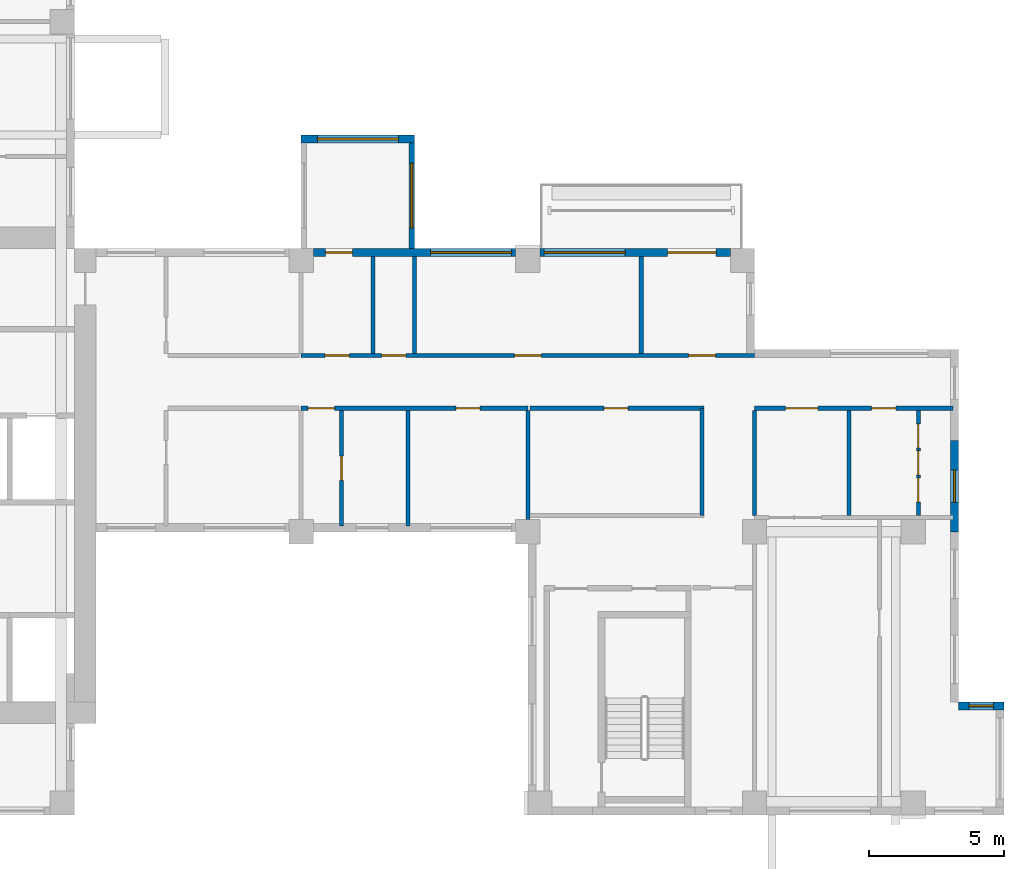
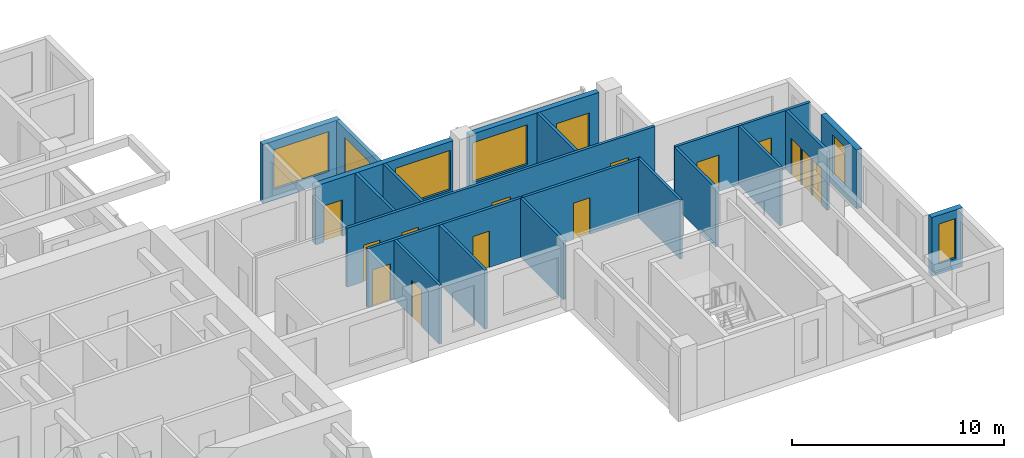
# One storey, part 5 of 11: 20 walls, 15 doors, 6 windows, 21 openings.
"""IFC4 building model written with IfcOpenShell, lengths in metres."""

from ifc_helpers import new_model, si_unit, direction, frame, frame_2d, origin, place, context, subcontext, project, spatial, rectangle, extrude, source, transform, mapped, material, layer, layer_set, type_object, element, fill, save


model = new_model("IFC4")

# Units and contexts
model_context = context("Model", 3, precision=1e-05, world=origin(), true_north=direction((0.0, 1.0)))
body_context = subcontext(model_context, "Body", "Model", "MODEL_VIEW")
ifc_project = project(units=[si_unit("LENGTHUNIT", "METRE"), si_unit("AREAUNIT", "SQUARE_METRE"), si_unit("VOLUMEUNIT", "CUBIC_METRE"), si_unit("PLANEANGLEUNIT", "RADIAN"), si_unit("MASSUNIT", "GRAM", prefix="KILO")], contexts=[model_context])

# Site, building, storey
site_placement = place(None, origin())
site = spatial("IfcSite", under=ifc_project, at=site_placement, CompositionType="ELEMENT")
building_placement = place(site_placement, origin())
building = spatial("IfcBuilding", under=site, at=building_placement, Name="Aurelian Terraces", CompositionType="ELEMENT")
storey_placement = place(building_placement, frame((0.0, 0.0, 208.2)))
storey = spatial("IfcBuildingStorey", under=building, at=storey_placement, Name="L46", CompositionType="ELEMENT", Elevation=208.2)

# Wall, openings, window, door
ifc_material_1 = material(Name="Terracotta rainscreen cladding", Category="masonry")
ifc_layer_1 = layer(ifc_material_1, 0.3)
ifc_layer_set_1 = layer_set([ifc_layer_1], Name="EW-300")
wall_type_1 = type_object("IfcWallType", Name="EW-300", PredefinedType="STANDARD", material=ifc_layer_set_1)
shared_shape_1 = source(origin(), body_context, "Body", "SweptSolid", [
    extrude(rectangle(XDim=7.5, YDim=0.3, at=frame_2d((3.75, 0.0))), origin(), (0.0, 0.0, 1.0), 3.4),
])
wall_1_placement = place(storey_placement, frame((37.35, 20.85, 0.0), z_axis=(0.0, 0.0, 1.0), x_axis=(-1.0, 0.0, 0.0)))
wall_1 = element("IfcWall", 1, at=wall_1_placement, inside=storey, type_object=wall_type_1, Name="External wall L46 F11.20", PredefinedType="STANDARD", context=body_context, shape_type="MappedRepresentation", body=[
    mapped(shared_shape_1, transform((0.0, 0.0, 0.0), scale=1.0)),
])
shared_shape_2 = source(origin(), body_context, "Body", "SweptSolid", [
    extrude(rectangle(XDim=3.0, YDim=2.3, at=frame_2d((1.5, 1.15))), frame((0.0, 0.16, 0.0), z_axis=(0.0, -1.0, 0.0), x_axis=(1.0, 0.0, 0.0)), (0.0, 0.0, 1.0), 0.32),
])
opening_1_placement = place(wall_1_placement, frame((0.15, 0.0, 0.6)))
opening_1 = element("IfcOpeningElement", 2, at=opening_1_placement, cuts=wall_1, Name="Opening W3023", PredefinedType="OPENING", context=body_context, shape_type="MappedRepresentation", body=[
    mapped(shared_shape_2, transform((0.0, 0.0, 0.0), scale=1.0)),
])
shared_shape_3 = source(origin(), body_context, "Body", "SweptSolid", [
    extrude(rectangle(XDim=1.0, YDim=2.1, at=frame_2d((0.5, 1.05))), frame((0.0, 0.16, 0.0), z_axis=(0.0, -1.0, 0.0), x_axis=(1.0, 0.0, 0.0)), (0.0, 0.0, 1.0), 0.32),
])
opening_2_placement = place(wall_1_placement, frame((6.05, 0.0, 0.0)))
opening_2 = element("IfcOpeningElement", 3, at=opening_2_placement, cuts=wall_1, Name="Opening 846001", PredefinedType="OPENING", context=body_context, shape_type="MappedRepresentation", body=[
    mapped(shared_shape_3, transform((0.0, 0.0, 0.0), scale=1.0)),
])
ifc_material_2 = material(Name="Clear glazing", Category="glass")
window_type_1 = type_object("IfcWindowType", Name="W-3000x2300", PartitioningType="SINGLE_PANEL", PredefinedType="WINDOW", material=ifc_material_2)
shared_shape_4 = source(origin(), body_context, "Body", "SweptSolid", [
    extrude(rectangle(XDim=3.0, YDim=2.3, at=frame_2d((1.5, 1.15))), frame((0.0, 0.03, 0.0), z_axis=(0.0, -1.0, 0.0), x_axis=(1.0, 0.0, 0.0)), (0.0, 0.0, 1.0), 0.06),
])
window_1_placement = place(opening_1_placement, origin())
window_1 = element("IfcWindow", 4, at=window_1_placement, inside=storey, type_object=window_type_1, Name="Window L46 L46-F11-20-0", OverallHeight=2.3, OverallWidth=3.0, PartitioningType="SINGLE_PANEL", PredefinedType="WINDOW", context=body_context, shape_type="MappedRepresentation", body=[
    mapped(shared_shape_4, transform((0.0, 0.0, 0.0), scale=1.0)),
])
fill(opening_1, window_1)
ifc_material_3 = material(Name="Timber door leaf", Category="wood")
door_type_1 = type_object("IfcDoorType", Name="Room door 1000x2100 left", OperationType="SINGLE_SWING_LEFT", PredefinedType="DOOR", material=ifc_material_3)
shared_shape_5 = source(origin(), body_context, "Body", "SweptSolid", [
    extrude(rectangle(XDim=1.0, YDim=2.1, at=frame_2d((0.5, 1.05))), frame((0.0, 0.025, 0.0), z_axis=(0.0, -1.0, 0.0), x_axis=(1.0, 0.0, 0.0)), (0.0, 0.0, 1.0), 0.05),
])
door_1_placement = place(opening_2_placement, origin())
door_1 = element("IfcDoor", 5, at=door_1_placement, inside=storey, type_object=door_type_1, Name="Door 846001", OperationType="SINGLE_SWING_LEFT", OverallHeight=2.1, OverallWidth=1.0, PredefinedType="DOOR", context=body_context, shape_type="MappedRepresentation", body=[
    mapped(shared_shape_5, transform((0.0, 0.0, 0.0), scale=1.0)),
])
fill(opening_2, door_1)

# Wall, opening, window
shared_shape_6 = source(origin(), body_context, "Body", "SweptSolid", [
    extrude(rectangle(XDim=1.68, YDim=0.3, at=frame_2d((0.84, 0.0))), origin(), (0.0, 0.0, 1.0), 3.4),
])
wall_2_placement = place(storey_placement, frame((55.44, 4.05, 0.0), z_axis=(0.0, 0.0, 1.0), x_axis=(-1.0, 0.0, 0.0)))
wall_2 = element("IfcWall", 6, at=wall_2_placement, inside=storey, type_object=wall_type_1, Name="External wall L46 F07.13", PredefinedType="STANDARD", context=body_context, shape_type="MappedRepresentation", body=[
    mapped(shared_shape_6, transform((0.0, 0.0, 0.0), scale=1.0)),
])
shared_shape_7 = source(origin(), body_context, "Body", "SweptSolid", [
    extrude(rectangle(XDim=0.9, YDim=2.3, at=frame_2d((0.45, 1.15))), frame((0.0, 0.16, 0.0), z_axis=(0.0, -1.0, 0.0), x_axis=(1.0, 0.0, 0.0)), (0.0, 0.0, 1.0), 0.32),
])
opening_3_placement = place(wall_2_placement, frame((0.39, 0.0, 0.6)))
opening_3 = element("IfcOpeningElement", 7, at=opening_3_placement, cuts=wall_2, Name="Opening W0923", PredefinedType="OPENING", context=body_context, shape_type="MappedRepresentation", body=[
    mapped(shared_shape_7, transform((0.0, 0.0, 0.0), scale=1.0)),
])
window_type_2 = type_object("IfcWindowType", Name="W-900x2300", PartitioningType="SINGLE_PANEL", PredefinedType="WINDOW", material=ifc_material_2)
shared_shape_8 = source(origin(), body_context, "Body", "SweptSolid", [
    extrude(rectangle(XDim=0.9, YDim=2.3, at=frame_2d((0.45, 1.15))), frame((0.0, 0.03, 0.0), z_axis=(0.0, -1.0, 0.0), x_axis=(1.0, 0.0, 0.0)), (0.0, 0.0, 1.0), 0.06),
])
window_2_placement = place(opening_3_placement, origin())
window_2 = element("IfcWindow", 8, at=window_2_placement, inside=storey, type_object=window_type_2, Name="Window L46 L46-F07-13-P0", OverallHeight=2.3, OverallWidth=0.9, PartitioningType="SINGLE_PANEL", PredefinedType="WINDOW", context=body_context, shape_type="MappedRepresentation", body=[
    mapped(shared_shape_8, transform((0.0, 0.0, 0.0), scale=1.0)),
])
fill(opening_3, window_2)

ifc_material_4 = material(Name="Concrete fc' 40 MPa", Category="concrete")
ifc_layer_2 = layer(ifc_material_4, 0.2)
ifc_layer_set_2 = layer_set([ifc_layer_2], Name="BOX BEARING WALL 200")
wall_type_2 = type_object("IfcWallType", Name="BOX BEARING WALL 200", PredefinedType="SOLIDWALL", material=ifc_layer_set_2)
shared_shape_9 = source(origin(), body_context, "Body", "SweptSolid", [
    extrude(rectangle(XDim=3.9, YDim=0.2, at=frame_2d((1.95, 0.0))), origin(), (0.0, 0.0, 1.0), 3.4),
])
wall_3_placement = place(storey_placement, frame((33.5, 21.0, 0.0), z_axis=(0.0, 0.0, 1.0), x_axis=(0.0, 1.0, 0.0)))
wall_3 = element("IfcWall", 9, at=wall_3_placement, inside=storey, type_object=wall_type_2, Name="Box return L46 J63.1", PredefinedType="SOLIDWALL", context=body_context, shape_type="MappedRepresentation", body=[
    mapped(shared_shape_9, transform((0.0, 0.0, 0.0), scale=1.0)),
])
shared_shape_10 = source(origin(), body_context, "Body", "SweptSolid", [
    extrude(rectangle(XDim=2.4, YDim=2.3, at=frame_2d((1.2, 1.15))), frame((0.0, 0.11, 0.0), z_axis=(0.0, -1.0, 0.0), x_axis=(1.0, 0.0, 0.0)), (0.0, 0.0, 1.0), 0.22),
])
opening_4_placement = place(wall_3_placement, frame((0.75, 0.0, 0.6)))
opening_4 = element("IfcOpeningElement", 10, at=opening_4_placement, cuts=wall_3, Name="Opening W2423", PredefinedType="OPENING", context=body_context, shape_type="MappedRepresentation", body=[
    mapped(shared_shape_10, transform((0.0, 0.0, 0.0), scale=1.0)),
])
window_type_3 = type_object("IfcWindowType", Name="W-2400x2300", PartitioningType="SINGLE_PANEL", PredefinedType="WINDOW", material=ifc_material_2)
shared_shape_11 = source(origin(), body_context, "Body", "SweptSolid", [
    extrude(rectangle(XDim=2.4, YDim=2.3, at=frame_2d((1.2, 1.15))), frame((0.0, 0.03, 0.0), z_axis=(0.0, -1.0, 0.0), x_axis=(1.0, 0.0, 0.0)), (0.0, 0.0, 1.0), 0.06),
])
window_3_placement = place(opening_4_placement, origin())
window_3 = element("IfcWindow", 11, at=window_3_placement, inside=storey, type_object=window_type_3, Name="Window L46 J63-S1", OverallHeight=2.3, OverallWidth=2.4, PartitioningType="SINGLE_PANEL", PredefinedType="WINDOW", context=body_context, shape_type="MappedRepresentation", body=[
    mapped(shared_shape_11, transform((0.0, 0.0, 0.0), scale=1.0)),
])
fill(opening_4, window_3)

ifc_layer_3 = layer(ifc_material_4, 0.3)
ifc_layer_set_3 = layer_set([ifc_layer_3], Name="BOX BEARING WALL 300")
wall_type_3 = type_object("IfcWallType", Name="BOX BEARING WALL 300", PredefinedType="SOLIDWALL", material=ifc_layer_set_3)
shared_shape_12 = source(origin(), body_context, "Body", "SweptSolid", [
    extrude(rectangle(XDim=4.2, YDim=0.3, at=frame_2d((2.1, 0.0))), origin(), (0.0, 0.0, 1.0), 3.4),
])
wall_4_placement = place(storey_placement, frame((33.6, 25.05, 0.0), z_axis=(0.0, 0.0, 1.0), x_axis=(-1.0, 0.0, 0.0)))
wall_4 = element("IfcWall", 12, at=wall_4_placement, inside=storey, type_object=wall_type_3, Name="Box wall L46 J63", PredefinedType="SOLIDWALL", context=body_context, shape_type="MappedRepresentation", body=[
    mapped(shared_shape_12, transform((0.0, 0.0, 0.0), scale=1.0)),
])
opening_5_placement = place(wall_4_placement, frame((0.6, 0.0, 0.6)))
opening_5 = element("IfcOpeningElement", 13, at=opening_5_placement, cuts=wall_4, Name="Opening W3023", PredefinedType="OPENING", context=body_context, shape_type="MappedRepresentation", body=[
    mapped(shared_shape_2, transform((0.0, 0.0, 0.0), scale=1.0)),
])
window_4_placement = place(opening_5_placement, origin())
window_4 = element("IfcWindow", 14, at=window_4_placement, inside=storey, type_object=window_type_1, Name="Window L46 J63-F1", OverallHeight=2.3, OverallWidth=3.0, PartitioningType="SINGLE_PANEL", PredefinedType="WINDOW", context=body_context, shape_type="MappedRepresentation", body=[
    mapped(shared_shape_4, transform((0.0, 0.0, 0.0), scale=1.0)),
])
fill(opening_5, window_4)

shared_shape_13 = source(origin(), body_context, "Body", "SweptSolid", [
    extrude(rectangle(XDim=3.375, YDim=0.3, at=frame_2d((1.6875, 0.0))), origin(), (0.0, 0.0, 1.0), 3.4),
])
wall_5_placement = place(storey_placement, frame((53.61, 10.5, 0.0), z_axis=(0.0, 0.0, 1.0), x_axis=(0.0, 1.0, 0.0)))
wall_5 = element("IfcWall", 15, at=wall_5_placement, inside=storey, type_object=wall_type_1, Name="External wall L46 F08.15", PredefinedType="STANDARD", context=body_context, shape_type="MappedRepresentation", body=[
    mapped(shared_shape_13, transform((0.0, 0.0, 0.0), scale=1.0)),
])
shared_shape_14 = source(origin(), body_context, "Body", "SweptSolid", [
    extrude(rectangle(XDim=1.2, YDim=2.3, at=frame_2d((0.6, 1.15))), frame((0.0, 0.16, 0.0), z_axis=(0.0, -1.0, 0.0), x_axis=(1.0, 0.0, 0.0)), (0.0, 0.0, 1.0), 0.32),
])
opening_6_placement = place(wall_5_placement, frame((1.0875, 0.0, 0.6)))
opening_6 = element("IfcOpeningElement", 16, at=opening_6_placement, cuts=wall_5, Name="Opening W1223", PredefinedType="OPENING", context=body_context, shape_type="MappedRepresentation", body=[
    mapped(shared_shape_14, transform((0.0, 0.0, 0.0), scale=1.0)),
])
window_type_4 = type_object("IfcWindowType", Name="W-1200x2300", PartitioningType="SINGLE_PANEL", PredefinedType="WINDOW", material=ifc_material_2)
shared_shape_15 = source(origin(), body_context, "Body", "SweptSolid", [
    extrude(rectangle(XDim=1.2, YDim=2.3, at=frame_2d((0.6, 1.15))), frame((0.0, 0.03, 0.0), z_axis=(0.0, -1.0, 0.0), x_axis=(1.0, 0.0, 0.0)), (0.0, 0.0, 1.0), 0.06),
])
window_5_placement = place(opening_6_placement, origin())
window_5 = element("IfcWindow", 17, at=window_5_placement, inside=storey, type_object=window_type_4, Name="Window L46 L46-F08-15-0", OverallHeight=2.3, OverallWidth=1.2, PartitioningType="SINGLE_PANEL", PredefinedType="WINDOW", context=body_context, shape_type="MappedRepresentation", body=[
    mapped(shared_shape_15, transform((0.0, 0.0, 0.0), scale=1.0)),
])
fill(opening_6, window_5)

# Wall, openings, door, window
shared_shape_16 = source(origin(), body_context, "Body", "SweptSolid", [
    extrude(rectangle(XDim=7.05, YDim=0.3, at=frame_2d((3.525, 0.0))), origin(), (0.0, 0.0, 1.0), 3.4),
])
wall_6_placement = place(storey_placement, frame((45.3, 20.85, 0.0), z_axis=(0.0, 0.0, 1.0), x_axis=(-1.0, 0.0, 0.0)))
wall_6 = element("IfcWall", 18, at=wall_6_placement, inside=storey, type_object=wall_type_1, Name="External wall L46 F11.19", PredefinedType="STANDARD", context=body_context, shape_type="MappedRepresentation", body=[
    mapped(shared_shape_16, transform((0.0, 0.0, 0.0), scale=1.0)),
])
shared_shape_17 = source(origin(), body_context, "Body", "SweptSolid", [
    extrude(rectangle(XDim=1.8, YDim=2.4, at=frame_2d((0.9, 1.2))), frame((0.0, 0.16, 0.0), z_axis=(0.0, -1.0, 0.0), x_axis=(1.0, 0.0, 0.0)), (0.0, 0.0, 1.0), 0.32),
])
opening_7_placement = place(wall_6_placement, frame((0.525, 0.0, 0.0)))
opening_7 = element("IfcOpeningElement", 19, at=opening_7_placement, cuts=wall_6, Name="Opening 84602", PredefinedType="OPENING", context=body_context, shape_type="MappedRepresentation", body=[
    mapped(shared_shape_17, transform((0.0, 0.0, 0.0), scale=1.0)),
])
opening_8_placement = place(wall_6_placement, frame((3.9, 0.0, 0.6)))
opening_8 = element("IfcOpeningElement", 20, at=opening_8_placement, cuts=wall_6, Name="Opening W3023", PredefinedType="OPENING", context=body_context, shape_type="MappedRepresentation", body=[
    mapped(shared_shape_2, transform((0.0, 0.0, 0.0), scale=1.0)),
])
door_type_2 = type_object("IfcDoorType", Name="BD-1800x2400", OperationType="SLIDING_TO_LEFT", PredefinedType="DOOR", material=ifc_material_2)
shared_shape_18 = source(origin(), body_context, "Body", "SweptSolid", [
    extrude(rectangle(XDim=1.8, YDim=2.4, at=frame_2d((0.9, 1.2))), frame((0.0, 0.025, 0.0), z_axis=(0.0, -1.0, 0.0), x_axis=(1.0, 0.0, 0.0)), (0.0, 0.0, 1.0), 0.05),
])
door_2_placement = place(opening_7_placement, origin())
door_2 = element("IfcDoor", 21, at=door_2_placement, inside=storey, type_object=door_type_2, Name="Balcony door L46 F11.19", OperationType="SLIDING_TO_LEFT", OverallHeight=2.4, OverallWidth=1.8, PredefinedType="DOOR", context=body_context, shape_type="MappedRepresentation", body=[
    mapped(shared_shape_18, transform((0.0, 0.0, 0.0), scale=1.0)),
])
fill(opening_7, door_2)
window_6_placement = place(opening_8_placement, origin())
window_6 = element("IfcWindow", 22, at=window_6_placement, inside=storey, type_object=window_type_1, Name="Window L46 L46-F11-19-1", OverallHeight=2.3, OverallWidth=3.0, PartitioningType="SINGLE_PANEL", PredefinedType="WINDOW", context=body_context, shape_type="MappedRepresentation", body=[
    mapped(shared_shape_4, transform((0.0, 0.0, 0.0), scale=1.0)),
])
fill(opening_8, window_6)

# Wall, opening, door
ifc_material_5 = material(Name="Gypsum board on steel studs", Category="steel")
ifc_layer_4 = layer(ifc_material_5, 0.15)
ifc_layer_set_4 = layer_set([ifc_layer_4], Name="Fire partition 150")
wall_type_4 = type_object("IfcWallType", Name="Fire partition 150", PredefinedType="PARTITIONING", material=ifc_layer_set_4)
shared_shape_19 = source(origin(), body_context, "Body", "SweptSolid", [
    extrude(rectangle(XDim=6.45, YDim=0.15, at=frame_2d((3.225, 0.0))), origin(), (0.0, 0.0, 1.0), 3.4),
])
wall_7_placement = place(storey_placement, frame((44.325, 15.075, 0.0), z_axis=(0.0, 0.0, 1.0), x_axis=(-1.0, 0.0, 0.0)))
wall_7 = element("IfcWall", 23, at=wall_7_placement, inside=storey, type_object=wall_type_4, Name="Corridor wall", PredefinedType="PARTITIONING", context=body_context, shape_type="MappedRepresentation", body=[
    mapped(shared_shape_19, transform((0.0, 0.0, 0.0), scale=1.0)),
])
shared_shape_20 = source(origin(), body_context, "Body", "SweptSolid", [
    extrude(rectangle(XDim=0.9, YDim=2.1, at=frame_2d((0.45, 1.05))), frame((0.0, 0.085, 0.0), z_axis=(0.0, -1.0, 0.0), x_axis=(1.0, 0.0, 0.0)), (0.0, 0.0, 1.0), 0.17),
])
opening_9_placement = place(wall_7_placement, frame((2.8125, 0.0, 0.0)))
opening_9 = element("IfcOpeningElement", 24, at=opening_9_placement, cuts=wall_7, Name="Opening 746003", PredefinedType="OPENING", context=body_context, shape_type="MappedRepresentation", body=[
    mapped(shared_shape_20, transform((0.0, 0.0, 0.0), scale=1.0)),
])
door_type_3 = type_object("IfcDoorType", Name="Room door 900x2100 right", OperationType="SINGLE_SWING_RIGHT", PredefinedType="DOOR", material=ifc_material_3)
shared_shape_21 = source(origin(), body_context, "Body", "SweptSolid", [
    extrude(rectangle(XDim=0.9, YDim=2.1, at=frame_2d((0.45, 1.05))), frame((0.0, 0.025, 0.0), z_axis=(0.0, -1.0, 0.0), x_axis=(1.0, 0.0, 0.0)), (0.0, 0.0, 1.0), 0.05),
])
door_3_placement = place(opening_9_placement, origin())
door_3 = element("IfcDoor", 25, at=door_3_placement, inside=storey, type_object=door_type_3, Name="Door 746003", OperationType="SINGLE_SWING_RIGHT", OverallHeight=2.1, OverallWidth=0.9, PredefinedType="DOOR", context=body_context, shape_type="MappedRepresentation", body=[
    mapped(shared_shape_21, transform((0.0, 0.0, 0.0), scale=1.0)),
])
fill(opening_9, door_3)

# Wall
ifc_layer_5 = layer(ifc_material_5, 0.15)
ifc_layer_set_5 = layer_set([ifc_layer_5], Name="Partition 150")
wall_type_5 = type_object("IfcWallType", Name="Partition 150", PredefinedType="PARTITIONING", material=ifc_layer_set_5)
shared_shape_22 = source(origin(), body_context, "Body", "SweptSolid", [
    extrude(rectangle(XDim=3.9, YDim=0.15, at=frame_2d((1.95, 0.0))), origin(), (0.0, 0.0, 1.0), 3.4),
])
wall_8_placement = place(storey_placement, frame((49.6978, 11.1, 0.0), z_axis=(0.0, 0.0, 1.0), x_axis=(0.0, 1.0, 0.0)))
element("IfcWall", 26, at=wall_8_placement, inside=storey, type_object=wall_type_5, Name="Partition", PredefinedType="PARTITIONING", context=body_context, shape_type="MappedRepresentation", body=[
    mapped(shared_shape_22, transform((0.0, 0.0, 0.0), scale=1.0)),
])

# Wall, openings, doors
wall_9_placement = place(storey_placement, frame((52.2649, 11.1, 0.0), z_axis=(0.0, 0.0, 1.0), x_axis=(0.0, 1.0, 0.0)))
wall_9 = element("IfcWall", 27, at=wall_9_placement, inside=storey, type_object=wall_type_5, Name="Partition", PredefinedType="PARTITIONING", context=body_context, shape_type="MappedRepresentation", body=[
    mapped(shared_shape_22, transform((0.0, 0.0, 0.0), scale=1.0)),
])
opening_10_placement = place(wall_9_placement, frame((1.5, 0.0, 0.0)))
opening_10 = element("IfcOpeningElement", 28, at=opening_10_placement, cuts=wall_9, Name="Opening 746035", PredefinedType="OPENING", context=body_context, shape_type="MappedRepresentation", body=[
    mapped(shared_shape_20, transform((0.0, 0.0, 0.0), scale=1.0)),
])
opening_11_placement = place(wall_9_placement, frame((2.5, 0.0, 0.0)))
opening_11 = element("IfcOpeningElement", 29, at=opening_11_placement, cuts=wall_9, Name="Opening 746036", PredefinedType="OPENING", context=body_context, shape_type="MappedRepresentation", body=[
    mapped(shared_shape_20, transform((0.0, 0.0, 0.0), scale=1.0)),
])
opening_12_placement = place(wall_9_placement, frame((0.5, 0.0, 0.0)))
opening_12 = element("IfcOpeningElement", 30, at=opening_12_placement, cuts=wall_9, Name="Opening 746037", PredefinedType="OPENING", context=body_context, shape_type="MappedRepresentation", body=[
    mapped(shared_shape_20, transform((0.0, 0.0, 0.0), scale=1.0)),
])
door_type_4 = type_object("IfcDoorType", Name="Room door 900x2100 left", OperationType="SINGLE_SWING_LEFT", PredefinedType="DOOR", material=ifc_material_3)
door_4_placement = place(opening_10_placement, origin())
door_4 = element("IfcDoor", 31, at=door_4_placement, inside=storey, type_object=door_type_4, Name="Door 746035", OperationType="SINGLE_SWING_LEFT", OverallHeight=2.1, OverallWidth=0.9, PredefinedType="DOOR", context=body_context, shape_type="MappedRepresentation", body=[
    mapped(shared_shape_21, transform((0.0, 0.0, 0.0), scale=1.0)),
])
fill(opening_10, door_4)
ifc_material_6 = material(Name="Steel door leaf", Category="steel")
door_type_5 = type_object("IfcDoorType", Name="Entrance fire door 900x2100 left", OperationType="SINGLE_SWING_LEFT", PredefinedType="DOOR", material=ifc_material_6)
door_5_placement = place(opening_11_placement, origin())
door_5 = element("IfcDoor", 32, at=door_5_placement, inside=storey, type_object=door_type_5, Name="Door 746036", OperationType="SINGLE_SWING_LEFT", OverallHeight=2.1, OverallWidth=0.9, PredefinedType="DOOR", context=body_context, shape_type="MappedRepresentation", body=[
    mapped(shared_shape_21, transform((0.0, 0.0, 0.0), scale=1.0)),
])
fill(opening_11, door_5)
door_6_placement = place(opening_12_placement, origin())
door_6 = element("IfcDoor", 33, at=door_6_placement, inside=storey, type_object=door_type_5, Name="Door 746037", OperationType="SINGLE_SWING_LEFT", OverallHeight=2.1, OverallWidth=0.9, PredefinedType="DOOR", context=body_context, shape_type="MappedRepresentation", body=[
    mapped(shared_shape_21, transform((0.0, 0.0, 0.0), scale=1.0)),
])
fill(opening_12, door_6)

# Walls
wall_10_placement = place(storey_placement, frame((46.2, 11.1, 0.0), z_axis=(0.0, 0.0, 1.0), x_axis=(0.0, 1.0, 0.0)))
element("IfcWall", 34, at=wall_10_placement, inside=storey, type_object=wall_type_4, Name="Party wall", PredefinedType="PARTITIONING", context=body_context, shape_type="MappedRepresentation", body=[
    mapped(shared_shape_22, transform((0.0, 0.0, 0.0), scale=1.0)),
])
shared_shape_23 = source(origin(), body_context, "Body", "SweptSolid", [
    extrude(rectangle(XDim=3.6, YDim=0.15, at=frame_2d((1.8, 0.0))), origin(), (0.0, 0.0, 1.0), 3.4),
])
wall_11_placement = place(storey_placement, frame((32.067, 20.7, 0.0), z_axis=(0.0, 0.0, 1.0), x_axis=(0.0, -1.0, 0.0)))
element("IfcWall", 35, at=wall_11_placement, inside=storey, type_object=wall_type_5, Name="Partition", PredefinedType="PARTITIONING", context=body_context, shape_type="MappedRepresentation", body=[
    mapped(shared_shape_23, transform((0.0, 0.0, 0.0), scale=1.0)),
])
for number, where, z_axis, x_axis, name in (
    (36, (33.6, 17.1, 0.0), (0.0, 0.0, 1.0), (0.0, 1.0, 0.0), "Party wall"),
    (37, (42.0, 17.1, 0.0), (0.0, 0.0, 1.0), (0.0, 1.0, 0.0), "Party wall"),
):
    element("IfcWall", number, at=place(storey_placement, frame(where, z_axis=z_axis, x_axis=x_axis)), inside=storey, type_object=wall_type_4, Name=name, PredefinedType="PARTITIONING", context=body_context, shape_type="MappedRepresentation", body=[
        mapped(shared_shape_23, transform((0.0, 0.0, 0.0), scale=1.0)),
    ])

# Wall, openings, doors
shared_shape_24 = source(origin(), body_context, "Body", "SweptSolid", [
    extrude(rectangle(XDim=8.4, YDim=0.15, at=frame_2d((4.2, 0.0))), origin(), (0.0, 0.0, 1.0), 3.4),
])
wall_12_placement = place(storey_placement, frame((37.8, 15.075, 0.0), z_axis=(0.0, 0.0, 1.0), x_axis=(-1.0, 0.0, 0.0)))
wall_12 = element("IfcWall", 38, at=wall_12_placement, inside=storey, type_object=wall_type_4, Name="Corridor wall", PredefinedType="PARTITIONING", context=body_context, shape_type="MappedRepresentation", body=[
    mapped(shared_shape_24, transform((0.0, 0.0, 0.0), scale=1.0)),
])
shared_shape_25 = source(origin(), body_context, "Body", "SweptSolid", [
    extrude(rectangle(XDim=1.0, YDim=2.1, at=frame_2d((0.5, 1.05))), frame((0.0, 0.085, 0.0), z_axis=(0.0, -1.0, 0.0), x_axis=(1.0, 0.0, 0.0)), (0.0, 0.0, 1.0), 0.17),
])
opening_13_placement = place(wall_12_placement, frame((7.155, 0.0, 0.0)))
opening_13 = element("IfcOpeningElement", 39, at=opening_13_placement, cuts=wall_12, Name="Opening 746005", PredefinedType="OPENING", context=body_context, shape_type="MappedRepresentation", body=[
    mapped(shared_shape_25, transform((0.0, 0.0, 0.0), scale=1.0)),
])
opening_14_placement = place(wall_12_placement, frame((1.7667, 0.0, 0.0)))
opening_14 = element("IfcOpeningElement", 40, at=opening_14_placement, cuts=wall_12, Name="Opening 746006", PredefinedType="OPENING", context=body_context, shape_type="MappedRepresentation", body=[
    mapped(shared_shape_20, transform((0.0, 0.0, 0.0), scale=1.0)),
])
door_type_6 = type_object("IfcDoorType", Name="Entrance fire door 1000x2100 left", OperationType="SINGLE_SWING_LEFT", PredefinedType="DOOR", material=ifc_material_6)
door_7_placement = place(opening_13_placement, origin())
door_7 = element("IfcDoor", 41, at=door_7_placement, inside=storey, type_object=door_type_6, Name="Door 746005", OperationType="SINGLE_SWING_LEFT", OverallHeight=2.1, OverallWidth=1.0, PredefinedType="DOOR", context=body_context, shape_type="MappedRepresentation", body=[
    mapped(shared_shape_5, transform((0.0, 0.0, 0.0), scale=1.0)),
])
fill(opening_13, door_7)
door_type_7 = type_object("IfcDoorType", Name="Entrance fire door 900x2100 right", OperationType="SINGLE_SWING_RIGHT", PredefinedType="DOOR", material=ifc_material_6)
door_8_placement = place(opening_14_placement, origin())
door_8 = element("IfcDoor", 42, at=door_8_placement, inside=storey, type_object=door_type_7, Name="Door 746006", OperationType="SINGLE_SWING_RIGHT", OverallHeight=2.1, OverallWidth=0.9, PredefinedType="DOOR", context=body_context, shape_type="MappedRepresentation", body=[
    mapped(shared_shape_21, transform((0.0, 0.0, 0.0), scale=1.0)),
])
fill(opening_14, door_8)

# Walls
shared_shape_26 = source(origin(), body_context, "Body", "SweptSolid", [
    extrude(rectangle(XDim=4.051, YDim=0.15, at=frame_2d((2.0255, 0.0))), origin(), (0.0, 0.0, 1.0), 3.4),
])
wall_13_placement = place(storey_placement, frame((37.8, 10.949, 0.0), z_axis=(0.0, 0.0, 1.0), x_axis=(0.0, 1.0, 0.0)))
element("IfcWall", 43, at=wall_13_placement, inside=storey, type_object=wall_type_4, Name="Party wall", PredefinedType="PARTITIONING", context=body_context, shape_type="MappedRepresentation", body=[
    mapped(shared_shape_26, transform((0.0, 0.0, 0.0), scale=1.0)),
])
shared_shape_27 = source(origin(), body_context, "Body", "SweptSolid", [
    extrude(rectangle(XDim=3.975, YDim=0.15, at=frame_2d((1.9875, 0.0))), origin(), (0.0, 0.0, 1.0), 3.4),
])
wall_14_placement = place(storey_placement, frame((44.25, 11.1, 0.0), z_axis=(0.0, 0.0, 1.0), x_axis=(0.0, 1.0, 0.0)))
element("IfcWall", 44, at=wall_14_placement, inside=storey, type_object=wall_type_5, Name="Partition", PredefinedType="PARTITIONING", context=body_context, shape_type="MappedRepresentation", body=[
    mapped(shared_shape_27, transform((0.0, 0.0, 0.0), scale=1.0)),
])

# Wall, opening, door
shared_shape_28 = source(origin(), body_context, "Body", "SweptSolid", [
    extrude(rectangle(XDim=4.295, YDim=0.15, at=frame_2d((2.1475, 0.0))), origin(), (0.0, 0.0, 1.0), 3.4),
])
wall_15_placement = place(storey_placement, frame((30.8901, 10.705, 0.0), z_axis=(0.0, 0.0, 1.0), x_axis=(0.0, 1.0, 0.0)))
wall_15 = element("IfcWall", 45, at=wall_15_placement, inside=storey, type_object=wall_type_5, Name="Partition", PredefinedType="PARTITIONING", context=body_context, shape_type="MappedRepresentation", body=[
    mapped(shared_shape_28, transform((0.0, 0.0, 0.0), scale=1.0)),
])
opening_15_placement = place(wall_15_placement, frame((1.6975, 0.0, 0.0)))
opening_15 = element("IfcOpeningElement", 46, at=opening_15_placement, cuts=wall_15, Name="Opening 746034", PredefinedType="OPENING", context=body_context, shape_type="MappedRepresentation", body=[
    mapped(shared_shape_20, transform((0.0, 0.0, 0.0), scale=1.0)),
])
door_9_placement = place(opening_15_placement, origin())
door_9 = element("IfcDoor", 47, at=door_9_placement, inside=storey, type_object=door_type_4, Name="Door 746034", OperationType="SINGLE_SWING_LEFT", OverallHeight=2.1, OverallWidth=0.9, PredefinedType="DOOR", context=body_context, shape_type="MappedRepresentation", body=[
    mapped(shared_shape_21, transform((0.0, 0.0, 0.0), scale=1.0)),
])
fill(opening_15, door_9)

# Wall
wall_16_placement = place(storey_placement, frame((33.3665, 10.705, 0.0), z_axis=(0.0, 0.0, 1.0), x_axis=(0.0, 1.0, 0.0)))
element("IfcWall", 48, at=wall_16_placement, inside=storey, type_object=wall_type_5, Name="Partition", PredefinedType="PARTITIONING", context=body_context, shape_type="MappedRepresentation", body=[
    mapped(shared_shape_28, transform((0.0, 0.0, 0.0), scale=1.0)),
])

# Wall, openings, doors
shared_shape_29 = source(origin(), body_context, "Body", "SweptSolid", [
    extrude(rectangle(XDim=7.355, YDim=0.15, at=frame_2d((3.6775, 0.0))), origin(), (0.0, 0.0, 1.0), 3.4),
])
wall_17_placement = place(storey_placement, frame((53.555, 15.075, 0.0), z_axis=(0.0, 0.0, 1.0), x_axis=(-1.0, 0.0, 0.0)))
wall_17 = element("IfcWall", 49, at=wall_17_placement, inside=storey, type_object=wall_type_4, Name="Corridor wall", PredefinedType="PARTITIONING", context=body_context, shape_type="MappedRepresentation", body=[
    mapped(shared_shape_29, transform((0.0, 0.0, 0.0), scale=1.0)),
])
shared_shape_30 = source(origin(), body_context, "Body", "SweptSolid", [
    extrude(rectangle(XDim=1.2, YDim=2.1, at=frame_2d((0.6, 1.05))), frame((0.0, 0.085, 0.0), z_axis=(0.0, -1.0, 0.0), x_axis=(1.0, 0.0, 0.0)), (0.0, 0.0, 1.0), 0.17),
])
opening_16_placement = place(wall_17_placement, frame((5.0061, 0.0, 0.0)))
opening_16 = element("IfcOpeningElement", 50, at=opening_16_placement, cuts=wall_17, Name="Opening 746007", PredefinedType="OPENING", context=body_context, shape_type="MappedRepresentation", body=[
    mapped(shared_shape_30, transform((0.0, 0.0, 0.0), scale=1.0)),
])
opening_17_placement = place(wall_17_placement, frame((2.1237, 0.0, 0.0)))
opening_17 = element("IfcOpeningElement", 51, at=opening_17_placement, cuts=wall_17, Name="Opening 746011", PredefinedType="OPENING", context=body_context, shape_type="MappedRepresentation", body=[
    mapped(shared_shape_20, transform((0.0, 0.0, 0.0), scale=1.0)),
])
door_10_placement = place(opening_17_placement, origin())
door_10 = element("IfcDoor", 52, at=door_10_placement, inside=storey, type_object=door_type_5, Name="Door 746011", OperationType="SINGLE_SWING_LEFT", OverallHeight=2.1, OverallWidth=0.9, PredefinedType="DOOR", context=body_context, shape_type="MappedRepresentation", body=[
    mapped(shared_shape_21, transform((0.0, 0.0, 0.0), scale=1.0)),
])
fill(opening_17, door_10)
door_type_8 = type_object("IfcDoorType", Name="Entrance fire door 1200x2100 left", OperationType="SINGLE_SWING_LEFT", PredefinedType="DOOR", material=ifc_material_6)
shared_shape_31 = source(origin(), body_context, "Body", "SweptSolid", [
    extrude(rectangle(XDim=1.2, YDim=2.1, at=frame_2d((0.6, 1.05))), frame((0.0, 0.025, 0.0), z_axis=(0.0, -1.0, 0.0), x_axis=(1.0, 0.0, 0.0)), (0.0, 0.0, 1.0), 0.05),
])
door_11_placement = place(opening_16_placement, origin())
door_11 = element("IfcDoor", 53, at=door_11_placement, inside=storey, type_object=door_type_8, Name="Door 746007", OperationType="SINGLE_SWING_LEFT", OverallHeight=2.1, OverallWidth=1.2, PredefinedType="DOOR", context=body_context, shape_type="MappedRepresentation", body=[
    mapped(shared_shape_31, transform((0.0, 0.0, 0.0), scale=1.0)),
])
fill(opening_16, door_11)

shared_shape_32 = source(origin(), body_context, "Body", "SweptSolid", [
    extrude(rectangle(XDim=16.8, YDim=0.15, at=frame_2d((8.4, 0.0))), origin(), (0.0, 0.0, 1.0), 3.4),
])
wall_18_placement = place(storey_placement, frame((29.4, 17.025, 0.0), z_axis=(0.0, 0.0, 1.0), x_axis=(1.0, 0.0, 0.0)))
wall_18 = element("IfcWall", 54, at=wall_18_placement, inside=storey, type_object=wall_type_4, Name="Corridor wall", PredefinedType="PARTITIONING", context=body_context, shape_type="MappedRepresentation", body=[
    mapped(shared_shape_32, transform((0.0, 0.0, 0.0), scale=1.0)),
])
opening_18_placement = place(wall_18_placement, frame((0.8835, 0.0, 0.0)))
opening_18 = element("IfcOpeningElement", 55, at=opening_18_placement, cuts=wall_18, Name="Opening 746012", PredefinedType="OPENING", context=body_context, shape_type="MappedRepresentation", body=[
    mapped(shared_shape_20, transform((0.0, 0.0, 0.0), scale=1.0)),
])
opening_19_placement = place(wall_18_placement, frame((2.9835, 0.0, 0.0)))
opening_19 = element("IfcOpeningElement", 56, at=opening_19_placement, cuts=wall_18, Name="Opening 746013", PredefinedType="OPENING", context=body_context, shape_type="MappedRepresentation", body=[
    mapped(shared_shape_20, transform((0.0, 0.0, 0.0), scale=1.0)),
])
opening_20_placement = place(wall_18_placement, frame((7.9, 0.0, 0.0)))
opening_20 = element("IfcOpeningElement", 57, at=opening_20_placement, cuts=wall_18, Name="Opening 746014", PredefinedType="OPENING", context=body_context, shape_type="MappedRepresentation", body=[
    mapped(shared_shape_25, transform((0.0, 0.0, 0.0), scale=1.0)),
])
opening_21_placement = place(wall_18_placement, frame((14.3538, 0.0, 0.0)))
opening_21 = element("IfcOpeningElement", 58, at=opening_21_placement, cuts=wall_18, Name="Opening 746015", PredefinedType="OPENING", context=body_context, shape_type="MappedRepresentation", body=[
    mapped(shared_shape_25, transform((0.0, 0.0, 0.0), scale=1.0)),
])
door_12_placement = place(opening_20_placement, origin())
door_12 = element("IfcDoor", 59, at=door_12_placement, inside=storey, type_object=door_type_6, Name="Door 746014", OperationType="SINGLE_SWING_LEFT", OverallHeight=2.1, OverallWidth=1.0, PredefinedType="DOOR", context=body_context, shape_type="MappedRepresentation", body=[
    mapped(shared_shape_5, transform((0.0, 0.0, 0.0), scale=1.0)),
])
fill(opening_20, door_12)
door_13_placement = place(opening_21_placement, origin())
door_13 = element("IfcDoor", 60, at=door_13_placement, inside=storey, type_object=door_type_6, Name="Door 746015", OperationType="SINGLE_SWING_LEFT", OverallHeight=2.1, OverallWidth=1.0, PredefinedType="DOOR", context=body_context, shape_type="MappedRepresentation", body=[
    mapped(shared_shape_5, transform((0.0, 0.0, 0.0), scale=1.0)),
])
fill(opening_21, door_13)
door_14_placement = place(opening_18_placement, origin())
door_14 = element("IfcDoor", 61, at=door_14_placement, inside=storey, type_object=door_type_5, Name="Door 746012", OperationType="SINGLE_SWING_LEFT", OverallHeight=2.1, OverallWidth=0.9, PredefinedType="DOOR", context=body_context, shape_type="MappedRepresentation", body=[
    mapped(shared_shape_21, transform((0.0, 0.0, 0.0), scale=1.0)),
])
fill(opening_18, door_14)
door_15_placement = place(opening_19_placement, origin())
door_15 = element("IfcDoor", 62, at=door_15_placement, inside=storey, type_object=door_type_7, Name="Door 746013", OperationType="SINGLE_SWING_RIGHT", OverallHeight=2.1, OverallWidth=0.9, PredefinedType="DOOR", context=body_context, shape_type="MappedRepresentation", body=[
    mapped(shared_shape_21, transform((0.0, 0.0, 0.0), scale=1.0)),
])
fill(opening_19, door_15)

save(model, "model.ifc")
